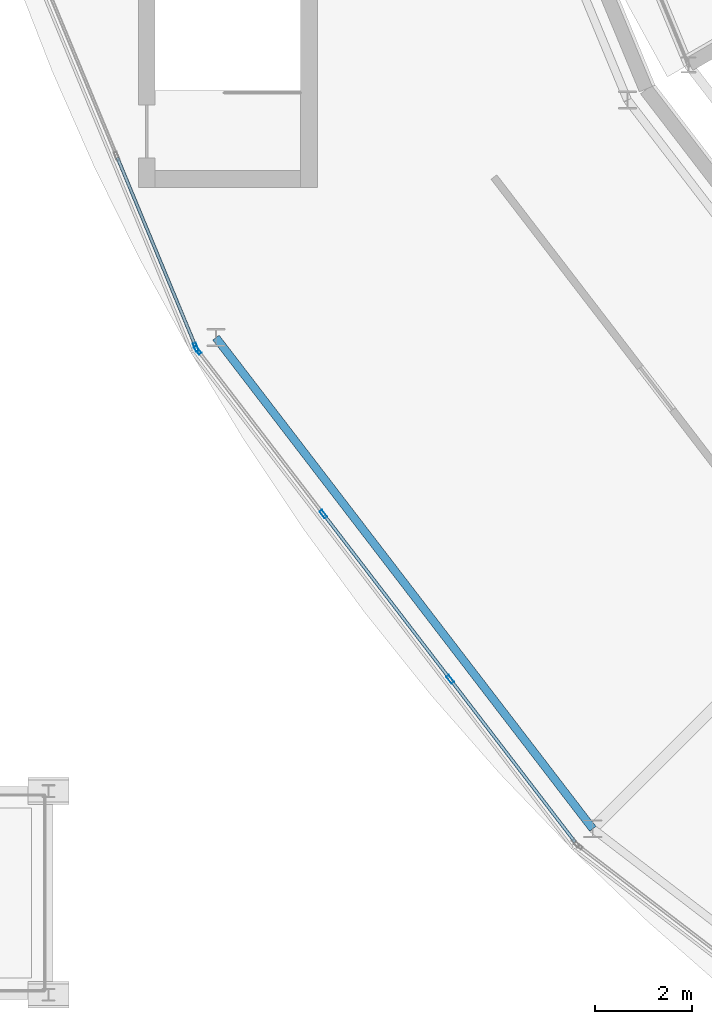
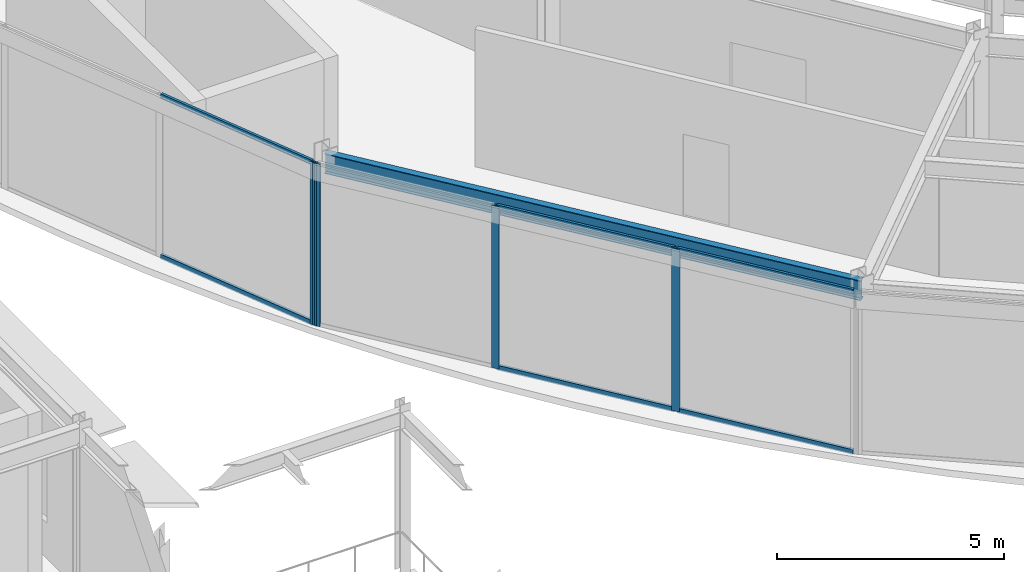
# One storey, part 28 of 157: 10 members, 1 beam, 2 elements without a shape of their own.
"""IFC4 building model written with IfcOpenShell, lengths in metres."""

from ifc_helpers import new_model, si_unit, direction, frame, origin, origin_2d, place, context, subcontext, project, spatial, hollow_rectangle, i_section, extrude, material, material_profile, profile_set, type_object, element, aggregate, save


model = new_model("IFC4")

# Units and contexts
model_context = context("Model", 3, precision=1e-05, world=origin(), true_north=direction((0.0, 1.0)))
body_context = subcontext(model_context, "Body", "Model", "MODEL_VIEW")
ifc_project = project(units=[si_unit("LENGTHUNIT", "METRE"), si_unit("AREAUNIT", "SQUARE_METRE"), si_unit("VOLUMEUNIT", "CUBIC_METRE"), si_unit("PLANEANGLEUNIT", "RADIAN"), si_unit("MASSUNIT", "GRAM", prefix="KILO")], contexts=[model_context])

# Site, building, storey
site_placement = place(None, origin())
site = spatial("IfcSite", under=ifc_project, at=site_placement, CompositionType="ELEMENT")
building_placement = place(site_placement, origin())
building = spatial("IfcBuilding", under=site, at=building_placement, Name="Almandine Court Research Institute", CompositionType="ELEMENT")
storey_placement = place(building_placement, frame((0.0, 0.0, 5.25)))
storey = spatial("IfcBuildingStorey", under=building, at=storey_placement, Name="L01", CompositionType="ELEMENT", Elevation=5.25)

# Beam
ifc_material_1 = material(Name="Steel ASTM A992 Grade 50", Category="steel")
ifc_material_profile_1 = material_profile(ifc_material_1, i_section(OverallWidth=0.166015625, OverallDepth=0.534912109375, WebThickness=0.010009765625, FlangeThickness=0.01708984375, at=origin_2d()), Name="W530x85")
ifc_profile_set_1 = profile_set([ifc_material_profile_1], Name="Steel ASTM A992 Grade 50")
beam_type = type_object("IfcBeamType", Name="Beam-G-05-E", PredefinedType="SPANDREL", material=ifc_profile_set_1)
beam_placement = place(storey_placement, frame((44.65087890625, 31.550048828125, 4.10205078125), z_axis=(0.608751886289, -0.793360662587, 0.0), x_axis=(0.793360662587, 0.608751886289, 0.0)))
element("IfcBeam", 1, at=beam_placement, inside=storey, type_object=beam_type, Name="L01 Drum OUT Ring Beam 14", PredefinedType="SPANDREL", context=body_context, shape_type="SweptSolid", body=[
    extrude(i_section(OverallWidth=0.166015625, OverallDepth=0.534912109375, WebThickness=0.010009765625, FlangeThickness=0.01708984375, at=origin_2d()), origin(), (0.0, 0.0, 1.0), 12.765869140625),
])

# Curtain wall, member
ifc_material_2 = material(Name="Unitised Curtain Wall Framing and Solar Glazing", Category="glass")
curtain_wall_type = type_object("IfcCurtainWallType", Name="CW-CWJ-19", PredefinedType="USERDEFINED", material=ifc_material_2)
curtain_wall_1_placement = place(storey_placement, origin())
curtain_wall_1 = element("IfcCurtainWall", 2, at=curtain_wall_1_placement, inside=storey, type_object=curtain_wall_type, Name="L01 Stacked-Ring Drum Outer Solar Jali Screen 13", ObjectType="SOLAR JALI SCREEN", PredefinedType="USERDEFINED")
ifc_material_3 = material(Name="Anodised Aluminium AW-6063-T6", Category="aluminium")
ifc_material_profile_2 = material_profile(ifc_material_3, hollow_rectangle(XDim=0.06494140625, YDim=0.179931640625, WallThickness=0.00390625, at=origin_2d()), Name="ALU RHS 65x180x4")
ifc_profile_set_2 = profile_set([ifc_material_profile_2], Name="Anodised Aluminium AW-6063-T6")
member_type_1 = type_object("IfcMemberType", Name="CWMul-65x180", PredefinedType="MULLION", material=ifc_profile_set_2)
member_1_placement = place(storey_placement, frame((44.238525390625, 31.35302734375, 0.0), z_axis=(0.0, 0.0, 1.0), x_axis=(-0.923888124321, -0.382662689242, 0.0)))
member_1 = element("IfcMember", 3, at=member_1_placement, type_object=member_type_1, Name="CWJ-19 mullion 1", PredefinedType="MULLION", context=body_context, shape_type="SweptSolid", body=[
    extrude(hollow_rectangle(XDim=0.06494140625, YDim=0.179931640625, WallThickness=0.00390625, at=origin_2d()), origin(), (0.0, 0.0, 1.0), 4.3701171875),
])

# Curtain wall, members
curtain_wall_2_placement = place(storey_placement, origin())
curtain_wall_2 = element("IfcCurtainWall", 4, at=curtain_wall_2_placement, inside=storey, type_object=curtain_wall_type, Name="L01 Stacked-Ring Drum Outer Solar Jali Screen 14", ObjectType="SOLAR JALI SCREEN", PredefinedType="USERDEFINED")
member_2_placement = place(storey_placement, frame((49.48095703125, 24.505615234375, 0.0), z_axis=(0.0, 0.0, 1.0), x_axis=(-0.793382586046, -0.608723313303, 0.0)))
member_2 = element("IfcMember", 5, at=member_2_placement, type_object=member_type_1, Name="CWJ-19 mullion 2", PredefinedType="MULLION", context=body_context, shape_type="SweptSolid", body=[
    extrude(hollow_rectangle(XDim=0.06494140625, YDim=0.179931640625, WallThickness=0.00390625, at=origin_2d()), origin(), (0.0, 0.0, 1.0), 4.3701171875),
])
member_3_placement = place(storey_placement, frame((46.867919921875, 27.911376953125, 0.0), z_axis=(0.0, 0.0, 1.0), x_axis=(-0.793382586046, -0.608723313303, 0.0)))
member_3 = element("IfcMember", 6, at=member_3_placement, type_object=member_type_1, Name="CWJ-19 mullion 3", PredefinedType="MULLION", context=body_context, shape_type="SweptSolid", body=[
    extrude(hollow_rectangle(XDim=0.06494140625, YDim=0.179931640625, WallThickness=0.00390625, at=origin_2d()), origin(), (0.0, 0.0, 1.0), 4.3701171875),
])
member_4_placement = place(storey_placement, frame((44.27490234375, 31.291259765625, 0.0), z_axis=(0.0, 0.0, 1.0), x_axis=(-0.793382586046, -0.608723313303, 0.0)))
member_4 = element("IfcMember", 7, at=member_4_placement, type_object=member_type_1, Name="CWJ-19 mullion 4", PredefinedType="MULLION", context=body_context, shape_type="SweptSolid", body=[
    extrude(hollow_rectangle(XDim=0.06494140625, YDim=0.179931640625, WallThickness=0.00390625, at=origin_2d()), origin(), (0.0, 0.0, 1.0), 4.3701171875),
])

# Member
ifc_material_profile_3 = material_profile(ifc_material_3, hollow_rectangle(XDim=0.06494140625, YDim=0.1298828125, WallThickness=0.00390625, at=origin_2d()), Name="ALU RHS 65x130x4")
ifc_profile_set_3 = profile_set([ifc_material_profile_3], Name="Anodised Aluminium AW-6063-T6")
member_type_2 = type_object("IfcMemberType", Name="CWTrn-65x130", PredefinedType="NOTDEFINED", material=ifc_profile_set_3)
member_5_placement = place(storey_placement, frame((44.22607421875, 31.383056640625, 0.032470703125), z_axis=(-0.382631051398, 0.923901227679, 0.0), x_axis=(-0.923901227679, -0.382631051398, 0.0)))
member_5 = element("IfcMember", 8, at=member_5_placement, type_object=member_type_2, Name="CWJ-19 transom 1.1", ObjectType="TRANSOM", PredefinedType="USERDEFINED", context=body_context, shape_type="SweptSolid", body=[
    extrude(hollow_rectangle(XDim=0.06494140625, YDim=0.1298828125, WallThickness=0.00390625, at=origin_2d()), origin(), (0.0, 0.0, 1.0), 4.1953125),
])

member_6_placement = place(storey_placement, frame((44.22607421875, 31.383056640625, 4.33740234375), z_axis=(-0.382631051398, 0.923901227679, 0.0), x_axis=(-0.923901227679, -0.382631051398, 0.0)))
member_6 = element("IfcMember", 9, at=member_6_placement, type_object=member_type_2, Name="CWJ-19 transom 1.2", ObjectType="TRANSOM", PredefinedType="USERDEFINED", context=body_context, shape_type="SweptSolid", body=[
    extrude(hollow_rectangle(XDim=0.06494140625, YDim=0.1298828125, WallThickness=0.00390625, at=origin_2d()), origin(), (0.0, 0.0, 1.0), 4.1953125),
])

aggregate(curtain_wall_1, [member_1, member_5, member_6])

member_7_placement = place(storey_placement, frame((52.054443359375, 21.151611328125, 0.032470703125), z_axis=(-0.608725941364, 0.793380569658, 0.0), x_axis=(-0.793380569658, -0.608725941364, 0.0)))
member_7 = element("IfcMember", 10, at=member_7_placement, type_object=member_type_2, Name="CWJ-19 transom 1.1", ObjectType="TRANSOM", PredefinedType="USERDEFINED", context=body_context, shape_type="SweptSolid", body=[
    extrude(hollow_rectangle(XDim=0.06494140625, YDim=0.1298828125, WallThickness=0.00390625, at=origin_2d()), origin(), (0.0, 0.0, 1.0), 4.195068359375),
])

member_8_placement = place(storey_placement, frame((52.054443359375, 21.151611328125, 4.33740234375), z_axis=(-0.608725941364, 0.793380569658, 0.0), x_axis=(-0.793380569658, -0.608725941364, 0.0)))
member_8 = element("IfcMember", 11, at=member_8_placement, type_object=member_type_2, Name="CWJ-19 transom 1.2", ObjectType="TRANSOM", PredefinedType="USERDEFINED", context=body_context, shape_type="SweptSolid", body=[
    extrude(hollow_rectangle(XDim=0.06494140625, YDim=0.1298828125, WallThickness=0.00390625, at=origin_2d()), origin(), (0.0, 0.0, 1.0), 4.195068359375),
])

member_9_placement = place(storey_placement, frame((49.461181640625, 24.531494140625, 0.032470703125), z_axis=(-0.608741867566, 0.793368349931, 0.0), x_axis=(-0.793368349931, -0.608741867566, 0.0)))
member_9 = element("IfcMember", 12, at=member_9_placement, type_object=member_type_2, Name="CWJ-19 transom 2.1", ObjectType="TRANSOM", PredefinedType="USERDEFINED", context=body_context, shape_type="SweptSolid", body=[
    extrude(hollow_rectangle(XDim=0.06494140625, YDim=0.1298828125, WallThickness=0.00390625, at=origin_2d()), origin(), (0.0, 0.0, 1.0), 4.2275390625),
])

member_10_placement = place(storey_placement, frame((49.461181640625, 24.531494140625, 4.33740234375), z_axis=(-0.608741867566, 0.793368349931, 0.0), x_axis=(-0.793368349931, -0.608741867566, 0.0)))
member_10 = element("IfcMember", 13, at=member_10_placement, type_object=member_type_2, Name="CWJ-19 transom 2.2", ObjectType="TRANSOM", PredefinedType="USERDEFINED", context=body_context, shape_type="SweptSolid", body=[
    extrude(hollow_rectangle(XDim=0.06494140625, YDim=0.1298828125, WallThickness=0.00390625, at=origin_2d()), origin(), (0.0, 0.0, 1.0), 4.2275390625),
])

aggregate(curtain_wall_2, [member_2, member_3, member_4, member_7, member_8, member_9, member_10])

save(model, "model.ifc")
